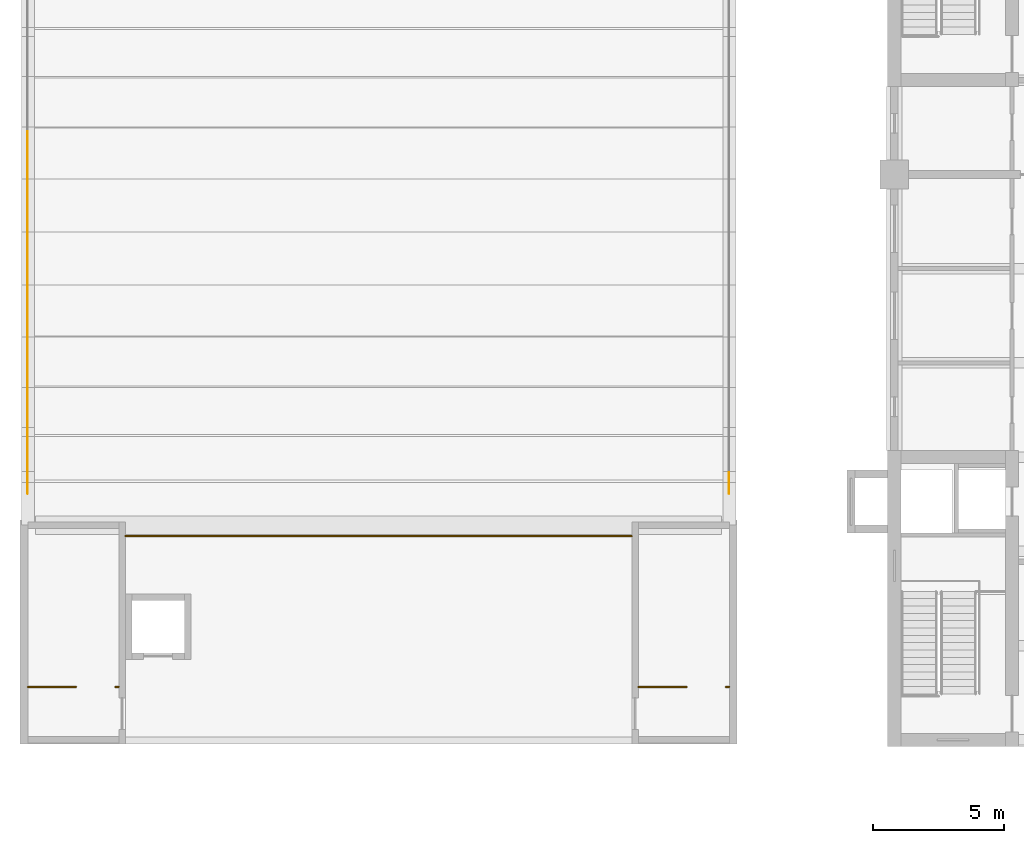
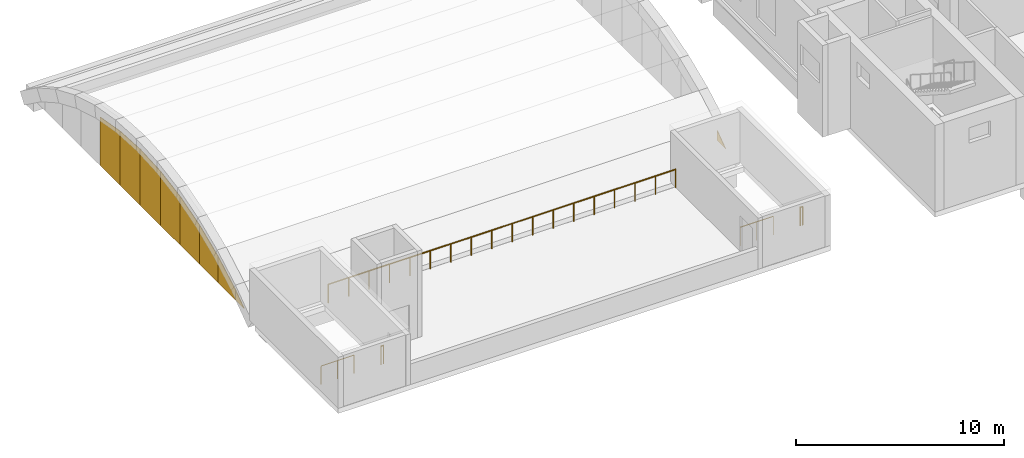
# One storey, part 28 of 32: 9 coverings, 5 railings.
"""IFC4 building model written with IfcOpenShell, lengths in metres."""

import ifcopenshell
import ifcopenshell.guid

model = None  # the IFC model being written
_history = None  # IfcOwnerHistory: only IFC2X3 demands one
_inside = {}  # id of a spatial element -> (the spatial element, [elements in it])
_under = {}  # id of a project, library or spatial element -> (it, [spatial elements below it])
_declared = {}  # id of a project -> (the project, [libraries it declares])
_typed = {}  # id of a type object -> (the type object, [elements of that type])
_made_of = {}  # id of a material, layer set ... -> (it, [elements and type objects made of it])


def new_model(schema):
    """Start an empty IFC model of exactly this schema.

    Asked for "IFC4X3", IfcOpenShell would pick the latest addendum, in which some entities
    have other attributes; the version numbers below select the first issue.
    IFC2X3 requires an IfcOwnerHistory on every rooted entity: one is made here for all.
    """
    global model, _history
    if schema == "IFC4X3":
        model = ifcopenshell.file(schema_version=(4, 3, 0, 0))
    else:
        model = ifcopenshell.file(schema=schema)
    _inside.clear()
    _under.clear()
    _declared.clear()
    _typed.clear()
    _made_of.clear()
    _history = None
    if model.schema == "IFC2X3":
        org = make("IfcOrganization", Name="unknown")
        user = make(
            "IfcPersonAndOrganization",
            ThePerson=make("IfcPerson", FamilyName="unknown"),
            TheOrganization=org,
        )
        app = make(
            "IfcApplication",
            ApplicationDeveloper=org,
            Version="unknown",
            ApplicationFullName="unknown",
            ApplicationIdentifier="unknown",
        )
        _history = make(
            "IfcOwnerHistory",
            OwningUser=user,
            OwningApplication=app,
            ChangeAction="ADDED",
            CreationDate=0,
        )
    return model


def make(cls, **values):
    """One entity of the class cls with the attributes given. An attribute that is None is left unset."""
    return model.create_entity(
        cls, **{name: value for name, value in values.items() if value is not None}
    )


def rooted(cls, **values):
    """An entity with a GlobalId (a new one), such as an element, a storey or a relation."""
    return make(cls, GlobalId=ifcopenshell.guid.new(), OwnerHistory=_history, **values)


def si_unit(unit_type, name, prefix=None):
    """IfcSIUnit, for example si_unit("LENGTHUNIT", "METRE", prefix="MILLI")."""
    return make("IfcSIUnit", UnitType=unit_type, Prefix=prefix, Name=name)


def assignment(units):
    """IfcUnitAssignment: the units of a project."""
    return None if units is None else make("IfcUnitAssignment", Units=units)


def point(xyz):
    """IfcCartesianPoint."""
    return None if xyz is None else make("IfcCartesianPoint", Coordinates=xyz)


def direction(xyz):
    """IfcDirection."""
    return None if xyz is None else make("IfcDirection", DirectionRatios=xyz)


def frame(location, z_axis=None, x_axis=None):
    """IfcAxis2Placement3D, a coordinate frame: its origin and axes. An axis left out is left unset."""
    return make(
        "IfcAxis2Placement3D",
        Location=point(location),
        Axis=direction(z_axis),
        RefDirection=direction(x_axis),
    )


def frame_2d(location, x_axis=None):
    """IfcAxis2Placement2D, a coordinate frame in the plane: its origin and x axis."""
    return make(
        "IfcAxis2Placement2D", Location=point(location), RefDirection=direction(x_axis)
    )


def origin():
    """The frame at (0, 0, 0) with its axes left unset."""
    return frame((0.0, 0.0, 0.0))


def origin_2d():
    """The frame at (0, 0) in the plane with its x axis left unset."""
    return frame_2d((0.0, 0.0))


def place(relative_to, where):
    """IfcLocalPlacement: puts the frame where relative to a parent placement (None: the world)."""
    return make(
        "IfcLocalPlacement", PlacementRelTo=relative_to, RelativePlacement=where
    )


def context(
    kind, dimensions, precision=None, world=None, true_north=None, identifier=None
):
    """IfcGeometricRepresentationContext, for example the 3D "Model" context."""
    return make(
        "IfcGeometricRepresentationContext",
        ContextIdentifier=identifier,
        ContextType=kind,
        CoordinateSpaceDimension=dimensions,
        Precision=precision,
        WorldCoordinateSystem=world,
        TrueNorth=true_north,
    )


def subcontext(parent, identifier, kind, view, scale=None):
    """IfcGeometricRepresentationSubContext, for example "Body" below "Model"."""
    return make(
        "IfcGeometricRepresentationSubContext",
        ContextIdentifier=identifier,
        ContextType=kind,
        ParentContext=parent,
        TargetScale=scale,
        TargetView=view,
    )


def project(units=None, contexts=None):
    """IfcProject with its units and contexts."""
    return rooted(
        "IfcProject",
        Name="project",
        RepresentationContexts=contexts,
        UnitsInContext=assignment(units),
    )


def spatial(cls, under=None, at=None, **own):
    """A site, building, storey or space (cls), placed at a placement, below another one or the project."""
    s = rooted(cls, ObjectPlacement=at, **own)
    if under is not None:
        _under.setdefault(under.id(), (under, []))[1].append(s)
    return s


def polyline(points):
    """IfcPolyline through the points."""
    return make("IfcPolyline", Points=[point(p) for p in points])


def profile(cls, at=None, kind="AREA", **sizes):
    """A parametric profile (cls). Its sizes go by their IFC names, for example OverallWidth=200.0."""
    return make(cls, ProfileType=kind, Position=at, **sizes)


def circle(**sizes):
    """IfcCircleProfileDef."""
    return profile("IfcCircleProfileDef", **sizes)


def outline(outer, holes=None, kind="AREA"):
    """IfcArbitraryClosedProfileDef: a profile drawn as a closed curve; with holes, ...WithVoids."""
    if holes is None:
        return make("IfcArbitraryClosedProfileDef", ProfileType=kind, OuterCurve=outer)
    return make(
        "IfcArbitraryProfileDefWithVoids",
        ProfileType=kind,
        OuterCurve=outer,
        InnerCurves=holes,
    )


def extrude(swept, where, along, depth):
    """IfcExtrudedAreaSolid: the profile swept, set in the frame where, extruded along a direction by depth."""
    return make(
        "IfcExtrudedAreaSolid",
        SweptArea=swept,
        Position=where,
        ExtrudedDirection=direction(along),
        Depth=depth,
    )


def shape(context_of_items, identifier, shape_type, items):
    """IfcShapeRepresentation: the items that make up one representation, for example the "Body"."""
    return make(
        "IfcShapeRepresentation",
        ContextOfItems=context_of_items,
        RepresentationIdentifier=identifier,
        RepresentationType=shape_type,
        Items=items,
    )


def material(Name=None, Category=None):
    """IfcMaterial."""
    return make("IfcMaterial", Name=Name, Category=Category)


def layer(
    of_material, thickness, ventilated=None, Name=None, Category=None, Priority=None
):
    """IfcMaterialLayer: one layer of a wall or slab, of a material (None: an air gap)."""
    return make(
        "IfcMaterialLayer",
        Material=of_material,
        LayerThickness=thickness,
        IsVentilated=ventilated,
        Name=Name,
        Category=Category,
        Priority=Priority,
    )


def layer_set(layers, Name=None):
    """IfcMaterialLayerSet."""
    return make("IfcMaterialLayerSet", MaterialLayers=layers, LayerSetName=Name)


def made_of(thing, what):
    """Note that an element or type object is made of a material, layer set ...; save() writes the relation."""
    if what is not None:
        _made_of.setdefault(what.id(), (what, []))[1].append(thing)
    return thing


def type_object(cls, material=None, **own):
    """A type object (cls), such as IfcWallType, which elements share."""
    return made_of(rooted(cls, **own), material)


def element(
    cls,
    number,
    at=None,
    inside=None,
    cuts=None,
    type_object=None,
    material=None,
    context=None,
    identifier="Body",
    shape_type=None,
    held_by="IfcProductDefinitionShape",
    body=None,
    shapes=None,
    **own,
):
    """One element of the class cls, such as IfcWall. Its Tag is "e" and its number.

    at: its placement. inside: the storey or other place that contains it. cuts: it is an
    opening in that element (IfcRelVoidsElement). A single representation is given by context,
    identifier, shape_type and body (its items); several are given by shapes. held_by: the class
    of the entity that holds the representations. save() writes the other relations.
    """
    e = rooted(cls, Tag="e%d" % number, ObjectPlacement=at, **own)
    if body is not None:
        shapes = [shape(context, identifier, shape_type, body)]
    if shapes is not None:
        e.Representation = make(held_by, Representations=shapes)
    if inside is not None:
        _inside.setdefault(inside.id(), (inside, []))[1].append(e)
    if cuts is not None:
        rooted(
            "IfcRelVoidsElement", RelatingBuildingElement=cuts, RelatedOpeningElement=e
        )
    if type_object is not None:
        _typed.setdefault(type_object.id(), (type_object, []))[1].append(e)
    return made_of(e, material)


def aggregate(whole, parts):
    """IfcRelAggregates: a whole, such as a stair, and the parts it consists of."""
    return rooted("IfcRelAggregates", RelatingObject=whole, RelatedObjects=parts)


def save(model, path):
    """Write the relations noted so far, then the file.

    IfcRelAggregates (storeys below a building ...), IfcRelContainedInSpatialStructure (elements
    in a storey), IfcRelDefinesByType, IfcRelAssociatesMaterial and IfcRelDeclares: one each for
    every whole, place, type object, material and project.
    """
    for whole, parts in _under.values():
        aggregate(whole, parts)
    for where, things in _inside.values():
        rooted(
            "IfcRelContainedInSpatialStructure",
            RelatedElements=things,
            RelatingStructure=where,
        )
    for kind, things in _typed.values():
        rooted("IfcRelDefinesByType", RelatedObjects=things, RelatingType=kind)
    for what, things in _made_of.values():
        rooted("IfcRelAssociatesMaterial", RelatedObjects=things, RelatingMaterial=what)
    for by, libraries in _declared.values():
        rooted("IfcRelDeclares", RelatingContext=by, RelatedDefinitions=libraries)
    model.write(path)


model = new_model("IFC4")

# Units and contexts
model_context = context("Model", 3, precision=1e-05, world=origin(), true_north=direction((0.0, 1.0)))
body_context = subcontext(model_context, "Body", "Model", "MODEL_VIEW")
ifc_project = project(units=[si_unit("LENGTHUNIT", "METRE"), si_unit("AREAUNIT", "SQUARE_METRE"), si_unit("VOLUMEUNIT", "CUBIC_METRE"), si_unit("PLANEANGLEUNIT", "RADIAN"), si_unit("MASSUNIT", "GRAM", prefix="KILO")], contexts=[model_context])

# Site, building, storey
site_placement = place(None, origin())
site = spatial("IfcSite", under=ifc_project, at=site_placement, CompositionType="ELEMENT")
building_placement = place(site_placement, origin())
building = spatial("IfcBuilding", under=site, at=building_placement, Name="Basin Gate Institute", CompositionType="ELEMENT")
storey_placement = place(building_placement, frame((0.0, 0.0, 11.39990234375)))
storey = spatial("IfcBuildingStorey", under=building, at=storey_placement, Name="L02", CompositionType="ELEMENT", Elevation=11.39990234375)

# Railings
ifc_material_1 = material(Name="Stainless steel tube and glass infill", Category="steel")
railing_type = type_object("IfcRailingType", Name="Block railing 1100", PredefinedType="GUARDRAIL", material=ifc_material_1)
railing_1_placement = place(storey_placement, frame((28.10009765625, 37.1201171875, 0.0)))
element("IfcRailing", 1, at=railing_1_placement, inside=storey, type_object=railing_type, material=ifc_material_1, Name="Guard stairwell ST-T2 L02", PredefinedType="GUARDRAIL", context=body_context, shape_type="SweptSolid", body=[
    extrude(circle(Radius=0.02392578125, at=origin_2d()), frame((0.0, 0.0, 1.076171875), z_axis=(1.0, 0.0, 0.0), x_axis=(0.0, 1.0, 0.0)), (0.0, 0.0, 1.0), 1.83740234375),
    extrude(circle(Radius=0.02099609375, at=origin_2d()), origin(), (0.0, 0.0, 1.0), 1.052001953125),
    extrude(circle(Radius=0.02099609375, at=origin_2d()), frame((0.918701171875, 0.0, 0.0)), (0.0, 0.0, 1.0), 1.052001953125),
    extrude(circle(Radius=0.02099609375, at=origin_2d()), frame((1.83740234375, 0.0, 0.0)), (0.0, 0.0, 1.0), 1.052001953125),
])
railing_2_placement = place(storey_placement, frame((31.4375, 37.1201171875, 0.0)))
element("IfcRailing", 2, at=railing_2_placement, inside=storey, type_object=railing_type, material=ifc_material_1, Name="Guard stairwell ST-T2 L02 east", PredefinedType="GUARDRAIL", context=body_context, shape_type="SweptSolid", body=[
    extrude(circle(Radius=0.02392578125, at=origin_2d()), frame((0.0, 0.0, 1.076171875), z_axis=(1.0, 0.0, 0.0), x_axis=(0.0, 1.0, 0.0)), (0.0, 0.0, 1.0), 0.137451171875),
    extrude(circle(Radius=0.02099609375, at=origin_2d()), origin(), (0.0, 0.0, 1.0), 1.052001953125),
    extrude(circle(Radius=0.02099609375, at=origin_2d()), frame((0.137451171875, 0.0, 0.0)), (0.0, 0.0, 1.0), 1.052001953125),
])
railing_3_placement = place(storey_placement, frame((51.425048828125, 37.1201171875, 0.0)))
element("IfcRailing", 3, at=railing_3_placement, inside=storey, type_object=railing_type, material=ifc_material_1, Name="Guard stairwell ST-T4 L02", PredefinedType="GUARDRAIL", context=body_context, shape_type="SweptSolid", body=[
    extrude(circle(Radius=0.02392578125, at=origin_2d()), frame((0.0, 0.0, 1.076171875), z_axis=(1.0, 0.0, 0.0), x_axis=(0.0, 1.0, 0.0)), (0.0, 0.0, 1.0), 1.83740234375),
    extrude(circle(Radius=0.02099609375, at=origin_2d()), origin(), (0.0, 0.0, 1.0), 1.052001953125),
    extrude(circle(Radius=0.02099609375, at=origin_2d()), frame((0.918701171875, 0.0, 0.0)), (0.0, 0.0, 1.0), 1.052001953125),
    extrude(circle(Radius=0.02099609375, at=origin_2d()), frame((1.83740234375, 0.0, 0.0)), (0.0, 0.0, 1.0), 1.052001953125),
])
railing_4_placement = place(storey_placement, frame((54.762451171875, 37.1201171875, 0.0)))
element("IfcRailing", 4, at=railing_4_placement, inside=storey, type_object=railing_type, material=ifc_material_1, Name="Guard stairwell ST-T4 L02 east", PredefinedType="GUARDRAIL", context=body_context, shape_type="SweptSolid", body=[
    extrude(circle(Radius=0.02392578125, at=origin_2d()), frame((0.0, 0.0, 1.076171875), z_axis=(1.0, 0.0, 0.0), x_axis=(0.0, 1.0, 0.0)), (0.0, 0.0, 1.0), 0.137451171875),
    extrude(circle(Radius=0.02099609375, at=origin_2d()), origin(), (0.0, 0.0, 1.0), 1.052001953125),
    extrude(circle(Radius=0.02099609375, at=origin_2d()), frame((0.137451171875, 0.0, 0.0)), (0.0, 0.0, 1.0), 1.052001953125),
])
railing_5_placement = place(storey_placement, frame((31.824951171875, 42.885009765625, 0.0)))
element("IfcRailing", 5, at=railing_5_placement, inside=storey, type_object=railing_type, material=ifc_material_1, Name="Guard roof garden north edge", PredefinedType="GUARDRAIL", context=body_context, shape_type="SweptSolid", body=[
    extrude(circle(Radius=0.02392578125, at=origin_2d()), frame((0.0, 0.0, 1.076171875), z_axis=(1.0, 0.0, 0.0), x_axis=(0.0, 1.0, 0.0)), (0.0, 0.0, 1.0), 19.35009765625),
    extrude(circle(Radius=0.02099609375, at=origin_2d()), origin(), (0.0, 0.0, 1.0), 1.052001953125),
    extrude(circle(Radius=0.02099609375, at=origin_2d()), frame((1.13818359375, 0.0, 0.0)), (0.0, 0.0, 1.0), 1.052001953125),
    extrude(circle(Radius=0.02099609375, at=origin_2d()), frame((2.2763671875, 0.0, 0.0)), (0.0, 0.0, 1.0), 1.052001953125),
    extrude(circle(Radius=0.02099609375, at=origin_2d()), frame((3.414794921875, 0.0, 0.0)), (0.0, 0.0, 1.0), 1.052001953125),
    extrude(circle(Radius=0.02099609375, at=origin_2d()), frame((4.552978515625, 0.0, 0.0)), (0.0, 0.0, 1.0), 1.052001953125),
    extrude(circle(Radius=0.02099609375, at=origin_2d()), frame((5.691162109375, 0.0, 0.0)), (0.0, 0.0, 1.0), 1.052001953125),
    extrude(circle(Radius=0.02099609375, at=origin_2d()), frame((6.829345703125, 0.0, 0.0)), (0.0, 0.0, 1.0), 1.052001953125),
    extrude(circle(Radius=0.02099609375, at=origin_2d()), frame((7.9677734375, 0.0, 0.0)), (0.0, 0.0, 1.0), 1.052001953125),
    extrude(circle(Radius=0.02099609375, at=origin_2d()), frame((9.10595703125, 0.0, 0.0)), (0.0, 0.0, 1.0), 1.052001953125),
    extrude(circle(Radius=0.02099609375, at=origin_2d()), frame((10.244140625, 0.0, 0.0)), (0.0, 0.0, 1.0), 1.052001953125),
    extrude(circle(Radius=0.02099609375, at=origin_2d()), frame((11.38232421875, 0.0, 0.0)), (0.0, 0.0, 1.0), 1.052001953125),
    extrude(circle(Radius=0.02099609375, at=origin_2d()), frame((12.520751953125, 0.0, 0.0)), (0.0, 0.0, 1.0), 1.052001953125),
    extrude(circle(Radius=0.02099609375, at=origin_2d()), frame((13.658935546875, 0.0, 0.0)), (0.0, 0.0, 1.0), 1.052001953125),
    extrude(circle(Radius=0.02099609375, at=origin_2d()), frame((14.797119140625, 0.0, 0.0)), (0.0, 0.0, 1.0), 1.052001953125),
    extrude(circle(Radius=0.02099609375, at=origin_2d()), frame((15.935302734375, 0.0, 0.0)), (0.0, 0.0, 1.0), 1.052001953125),
    extrude(circle(Radius=0.02099609375, at=origin_2d()), frame((17.07373046875, 0.0, 0.0)), (0.0, 0.0, 1.0), 1.052001953125),
    extrude(circle(Radius=0.02099609375, at=origin_2d()), frame((18.2119140625, 0.0, 0.0)), (0.0, 0.0, 1.0), 1.052001953125),
    extrude(circle(Radius=0.02099609375, at=origin_2d()), frame((19.35009765625, 0.0, 0.0)), (0.0, 0.0, 1.0), 1.052001953125),
])

# Coverings
ifc_material_2 = material(Name="Laminated toughened glass", Category="glass")
ifc_layer = layer(ifc_material_2, 0.030029296875)
ifc_layer_set = layer_set([ifc_layer], Name="Theatre tympanum glazing PN89")
covering_type = type_object("IfcCoveringType", Name="Theatre tympanum glazing PN89", PredefinedType="ROOFING", material=ifc_layer_set)
covering_1_placement = place(storey_placement, frame((28.10009765625, 44.48974609375, 0.0), z_axis=(1.0, 0.0, 0.0), x_axis=(0.0, 1.0, 0.0)))
element("IfcCovering", 6, at=covering_1_placement, inside=storey, type_object=covering_type, material=ifc_layer_set, Name="Theatre tympanum glazing S 1", PredefinedType="ROOFING", context=body_context, shape_type="SweptSolid", body=[
    extrude(outline(polyline([(0.0, 0.0), (0.82373046875, 0.0), (0.82373046875, 0.599365234375), (0.0, 0.0)])), origin(), (0.0, 0.0, -1.0), 0.030029296875),
])
covering_2_placement = place(storey_placement, frame((28.10009765625, 45.3134765625, 0.0), z_axis=(1.0, 0.0, 0.0), x_axis=(0.0, 1.0, 0.0)))
element("IfcCovering", 7, at=covering_2_placement, inside=storey, type_object=covering_type, material=ifc_layer_set, Name="Theatre tympanum glazing S 2", PredefinedType="ROOFING", context=body_context, shape_type="SweptSolid", body=[
    extrude(outline(polyline([(0.0, 0.0), (1.68896484375, 0.0), (1.68896484375, 1.553955078125), (0.0, 0.599365234375), (0.0, 0.0)])), origin(), (0.0, 0.0, -1.0), 0.030029296875),
])
covering_3_placement = place(storey_placement, frame((28.10009765625, 47.00244140625, 0.0), z_axis=(1.0, 0.0, 0.0), x_axis=(0.0, 1.0, 0.0)))
element("IfcCovering", 8, at=covering_3_placement, inside=storey, type_object=covering_type, material=ifc_layer_set, Name="Theatre tympanum glazing S 3", PredefinedType="ROOFING", context=body_context, shape_type="SweptSolid", body=[
    extrude(outline(polyline([(0.0, 0.0), (1.787353515625, 0.0), (1.787353515625, 2.309814453125), (0.0, 1.553955078125), (0.0, 0.0)])), origin(), (0.0, 0.0, -1.0), 0.030029296875),
])
covering_4_placement = place(storey_placement, frame((28.10009765625, 48.789794921875, 0.0), z_axis=(1.0, 0.0, 0.0), x_axis=(0.0, 1.0, 0.0)))
element("IfcCovering", 9, at=covering_4_placement, inside=storey, type_object=covering_type, material=ifc_layer_set, Name="Theatre tympanum glazing S 4", PredefinedType="ROOFING", context=body_context, shape_type="SweptSolid", body=[
    extrude(outline(polyline([(0.0, 0.0), (1.861328125, 0.0), (1.861328125, 2.857177734375), (0.0, 2.309814453125), (0.0, 0.0)])), origin(), (0.0, 0.0, -1.0), 0.030029296875),
])
covering_5_placement = place(storey_placement, frame((28.10009765625, 50.651123046875, 0.0), z_axis=(1.0, 0.0, 0.0), x_axis=(0.0, 1.0, 0.0)))
element("IfcCovering", 10, at=covering_5_placement, inside=storey, type_object=covering_type, material=ifc_layer_set, Name="Theatre tympanum glazing S 5", PredefinedType="ROOFING", context=body_context, shape_type="SweptSolid", body=[
    extrude(outline(polyline([(0.0, 0.0), (1.911865234375, 0.0), (1.911865234375, 3.1884765625), (0.0, 2.857177734375), (0.0, 0.0)])), origin(), (0.0, 0.0, -1.0), 0.030029296875),
])
covering_6_placement = place(storey_placement, frame((28.10009765625, 52.56298828125, 0.0), z_axis=(1.0, 0.0, 0.0), x_axis=(0.0, 1.0, 0.0)))
element("IfcCovering", 11, at=covering_6_placement, inside=storey, type_object=covering_type, material=ifc_layer_set, Name="Theatre tympanum glazing S 6", PredefinedType="ROOFING", context=body_context, shape_type="SweptSolid", body=[
    extrude(outline(polyline([(0.0, 0.0), (1.93701171875, 0.0), (1.93701171875, 3.299072265625), (0.0, 3.1884765625), (0.0, 0.0)])), origin(), (0.0, 0.0, -1.0), 0.030029296875),
])
covering_7_placement = place(storey_placement, frame((28.10009765625, 54.5, 0.0), z_axis=(1.0, 0.0, 0.0), x_axis=(0.0, 1.0, 0.0)))
element("IfcCovering", 12, at=covering_7_placement, inside=storey, type_object=covering_type, material=ifc_layer_set, Name="Theatre tympanum glazing S 7", PredefinedType="ROOFING", context=body_context, shape_type="SweptSolid", body=[
    extrude(outline(polyline([(0.0, 0.0), (1.93701171875, 0.0), (1.93701171875, 3.1884765625), (0.0, 3.299072265625), (0.0, 0.0)])), origin(), (0.0, 0.0, -1.0), 0.030029296875),
])
covering_8_placement = place(storey_placement, frame((28.10009765625, 56.43701171875, 0.0), z_axis=(1.0, 0.0, 0.0), x_axis=(0.0, 1.0, 0.0)))
element("IfcCovering", 13, at=covering_8_placement, inside=storey, type_object=covering_type, material=ifc_layer_set, Name="Theatre tympanum glazing S 8", PredefinedType="ROOFING", context=body_context, shape_type="SweptSolid", body=[
    extrude(outline(polyline([(0.0, 0.0), (1.911865234375, 0.0), (1.911865234375, 2.857177734375), (0.0, 3.1884765625), (0.0, 0.0)])), origin(), (0.0, 0.0, -1.0), 0.030029296875),
])
covering_9_placement = place(storey_placement, frame((54.89990234375, 44.48974609375, 0.0), z_axis=(1.0, 0.0, 0.0), x_axis=(0.0, 1.0, 0.0)))
element("IfcCovering", 14, at=covering_9_placement, inside=storey, type_object=covering_type, material=ifc_layer_set, Name="Theatre tympanum glazing N 1", PredefinedType="ROOFING", context=body_context, shape_type="SweptSolid", body=[
    extrude(outline(polyline([(0.0, 0.0), (0.82373046875, 0.0), (0.82373046875, 0.599365234375), (0.0, 0.0)])), origin(), (0.0, 0.0, -1.0), 0.030029296875),
])

save(model, "model.ifc")
